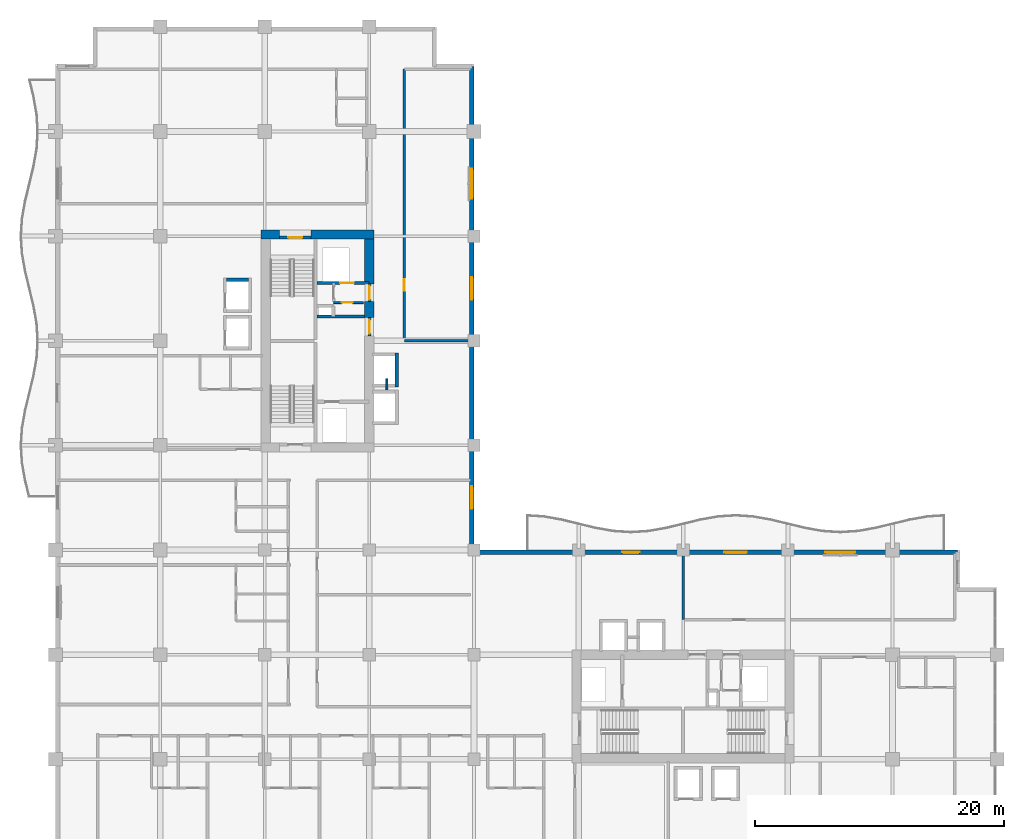
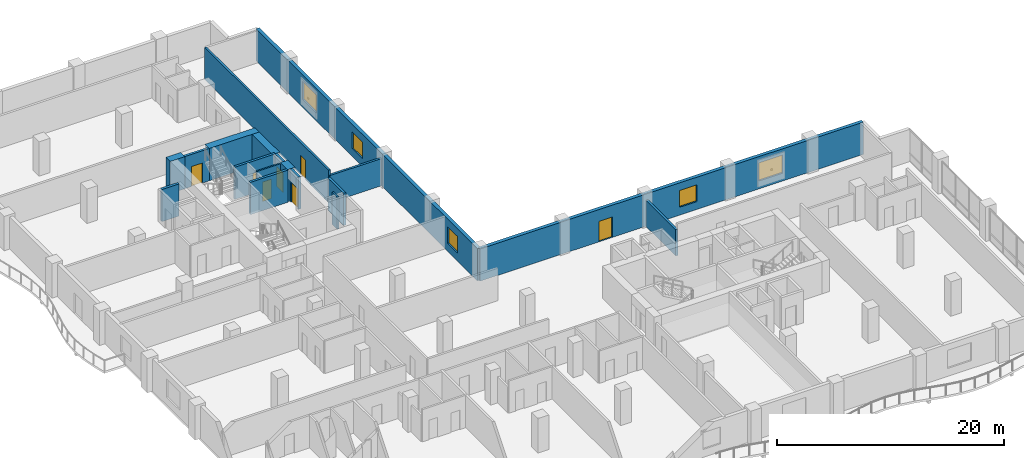
# One storey, part 13 of 22: 18 walls, 7 doors, 5 windows, 12 openings.
"""IFC4 building model written with IfcOpenShell, lengths in metres."""

from ifc_helpers import new_model, si_unit, direction, frame, frame_2d, origin, place, context, subcontext, project, spatial, rectangle, extrude, material, layer, layer_set, type_object, element, fill, save


model = new_model("IFC4")

# Units and contexts
model_context = context("Model", 3, precision=1e-05, world=origin(), true_north=direction((0.0, 1.0)))
body_context = subcontext(model_context, "Body", "Model", "MODEL_VIEW")
ifc_project = project(units=[si_unit("LENGTHUNIT", "METRE"), si_unit("AREAUNIT", "SQUARE_METRE"), si_unit("VOLUMEUNIT", "CUBIC_METRE"), si_unit("PLANEANGLEUNIT", "RADIAN"), si_unit("MASSUNIT", "GRAM", prefix="KILO")], contexts=[model_context])

# Site, building, storey
site_placement = place(None, origin())
site = spatial("IfcSite", under=ifc_project, at=site_placement, CompositionType="ELEMENT")
building_placement = place(site_placement, origin())
building = spatial("IfcBuilding", under=site, at=building_placement, Name="Koriwani Terraces Tower", CompositionType="ELEMENT")
storey_placement = place(building_placement, frame((0.0, 0.0, 168.0)))
storey = spatial("IfcBuildingStorey", under=building, at=storey_placement, Name="L40", CompositionType="ELEMENT", Elevation=168.0)

# Walls
ifc_material_1 = material(Name="Concrete C60/75", Category="concrete")
ifc_layer_1 = layer(ifc_material_1, 0.75, Name="Concrete C60/75")
ifc_layer_set_1 = layer_set([ifc_layer_1], Name="Concrete C60/75")
wall_type_1 = type_object("IfcWallType", Name="WALL_CORE_RC_750", PredefinedType="SHEAR", material=ifc_layer_set_1)
wall_1_placement = place(storey_placement, frame((16.5, 58.925048828125, 0.0), z_axis=(0.0, 0.0, 1.0), x_axis=(1.0, 0.0, 0.0)))
element("IfcWall", 1, at=wall_1_placement, inside=storey, type_object=wall_type_1, Name="L40 West Split Core Shear Wall N1", PredefinedType="SHEAR", context=body_context, shape_type="SweptSolid", body=[
    extrude(rectangle(XDim=1.5, YDim=0.75, at=frame_2d((0.75, 0.0))), origin(), (0.0, 0.0, 1.0), 3.469970703125),
])
wall_2_placement = place(storey_placement, frame((20.5, 58.925048828125, 0.0), z_axis=(0.0, 0.0, 1.0), x_axis=(1.0, 0.0, 0.0)))
element("IfcWall", 2, at=wall_2_placement, inside=storey, type_object=wall_type_1, Name="L40 West Split Core Shear Wall N2", PredefinedType="SHEAR", context=body_context, shape_type="SweptSolid", body=[
    extrude(rectangle(XDim=5.074951171875, YDim=0.75, at=frame_2d((2.53759765625, 0.0))), origin(), (0.0, 0.0, 1.0), 3.469970703125),
])
wall_3_placement = place(storey_placement, frame((25.199951171875, 52.280029296875, 0.0), z_axis=(0.0, 0.0, 1.0), x_axis=(0.0, 1.0, 0.0)))
element("IfcWall", 3, at=wall_3_placement, inside=storey, type_object=wall_type_1, Name="L40 West Split Core Shear Wall E2", PredefinedType="SHEAR", context=body_context, shape_type="SweptSolid", body=[
    extrude(rectangle(XDim=1.27001953125, YDim=0.75, at=frame_2d((0.635009765625, 0.0))), origin(), (0.0, 0.0, 1.0), 3.469970703125),
])
wall_4_placement = place(storey_placement, frame((25.199951171875, 54.949951171875, 0.0), z_axis=(0.0, 0.0, 1.0), x_axis=(0.0, 1.0, 0.0)))
element("IfcWall", 4, at=wall_4_placement, inside=storey, type_object=wall_type_1, Name="L40 West Split Core Shear Wall E3", PredefinedType="SHEAR", context=body_context, shape_type="SweptSolid", body=[
    extrude(rectangle(XDim=3.60009765625, YDim=0.75, at=frame_2d((1.800048828125, 0.0))), origin(), (0.0, 0.0, 1.0), 3.469970703125),
])

# Wall, opening, door
ifc_material_2 = material(Name="Autoclaved Cellular Concrete Blockwork", Category="masonry")
ifc_layer_2 = layer(ifc_material_2, 0.199951171875, Name="Autoclaved Cellular Concrete Blockwork")
ifc_layer_set_2 = layer_set([ifc_layer_2], Name="Autoclaved Cellular Concrete Blockwork")
wall_type_2 = type_object("IfcWallType", Name="WALL_CORRIDOR_200", PredefinedType="PARTITIONING", material=ifc_layer_set_2)
wall_5_placement = place(storey_placement, frame((28.0, 50.39990234375, 0.0), z_axis=(0.0, 0.0, 1.0), x_axis=(0.0, 1.0, 0.0)))
wall_5 = element("IfcWall", 5, at=wall_5_placement, inside=storey, type_object=wall_type_2, Name="L40 Interior Wall WNEC-W-L40", PredefinedType="PARTITIONING", context=body_context, shape_type="SweptSolid", body=[
    extrude(rectangle(XDim=21.800048828125, YDim=0.199951171875, at=frame_2d((10.89990234375, 0.0))), origin(), (0.0, 0.0, 1.0), 3.469970703125),
])
opening_1_placement = place(wall_5_placement, frame((4.0, 0.0, 0.0)))
opening_1 = element("IfcOpeningElement", 6, at=opening_1_placement, cuts=wall_5, Name="Opening D-06", PredefinedType="OPENING", context=body_context, shape_type="SweptSolid", body=[
    extrude(rectangle(XDim=0.919921875, YDim=2.10009765625, at=frame_2d((0.4599609375, 1.050048828125))), frame((0.0, 0.10986328125, 0.0), z_axis=(0.0, -1.0, 0.0), x_axis=(1.0, 0.0, 0.0)), (0.0, 0.0, 1.0), 0.219970703125),
])
ifc_material_3 = material(Name="Architectural Oak Fire Door", Category="wood")
door_type_1 = type_object("IfcDoorType", Name="DOOR_ROOM_INT_920X2100", OperationType="NOTDEFINED", PredefinedType="DOOR", material=ifc_material_3)
door_1_placement = place(opening_1_placement, origin())
door_1 = element("IfcDoor", 7, at=door_1_placement, inside=storey, type_object=door_type_1, Name="L40 North Court Study Door", OperationType="SINGLE_SWING_LEFT", OverallHeight=2.10009765625, OverallWidth=0.919921875, PredefinedType="DOOR", context=body_context, shape_type="SweptSolid", body=[
    extrude(rectangle(XDim=0.919921875, YDim=2.10009765625, at=frame_2d((0.4599609375, 1.050048828125))), frame((0.0, 0.02490234375, 0.0), z_axis=(0.0, -1.0, 0.0), x_axis=(1.0, 0.0, 0.0)), (0.0, 0.0, 1.0), 0.050048828125),
])
fill(opening_1, door_1)

# Walls
ifc_layer_3 = layer(ifc_material_2, 0.219970703125, Name="Autoclaved Cellular Concrete Blockwork")
ifc_layer_set_3 = layer_set([ifc_layer_3], Name="Autoclaved Cellular Concrete Blockwork")
wall_type_3 = type_object("IfcWallType", Name="WALL_DEMISING_220", PredefinedType="PARTITIONING", material=ifc_layer_set_3)
wall_6_placement = place(storey_placement, frame((28.0, 50.39990234375, 0.0), z_axis=(0.0, 0.0, 1.0), x_axis=(1.0, 0.0, 0.0)))
element("IfcWall", 8, at=wall_6_placement, inside=storey, type_object=wall_type_3, Name="L40 Interior Wall WNEC-S-L40", PredefinedType="PARTITIONING", context=body_context, shape_type="SweptSolid", body=[
    extrude(rectangle(XDim=5.300048828125, YDim=0.219970703125, at=frame_2d((2.64990234375, 0.0))), origin(), (0.0, 0.0, 1.0), 2.930908203125),
])
wall_7_placement = place(storey_placement, frame((50.39990234375, 28.0, 0.0), z_axis=(0.0, 0.0, 1.0), x_axis=(0.0, 1.0, 0.0)))
element("IfcWall", 9, at=wall_7_placement, inside=storey, type_object=wall_type_3, Name="L40 Interior Wall WSEC-W-L40", PredefinedType="PARTITIONING", context=body_context, shape_type="SweptSolid", body=[
    extrude(rectangle(XDim=5.300048828125, YDim=0.219970703125, at=frame_2d((2.64990234375, 0.0))), origin(), (0.0, 0.0, 1.0), 2.820068359375),
])

# Wall, openings, windows
ifc_material_4 = material(Name="Concrete C50/60", Category="concrete")
ifc_layer_4 = layer(ifc_material_4, 0.35009765625, Name="Concrete C50/60")
ifc_layer_set_4 = layer_set([ifc_layer_4], Name="Concrete C50/60")
wall_type_4 = type_object("IfcWallType", Name="WALL_EXT_BRUTALIST_350", PredefinedType="STANDARD", material=ifc_layer_set_4)
wall_8_placement = place(storey_placement, frame((33.425048828125, 72.425048828125, 0.0), z_axis=(0.0, 0.0, 1.0), x_axis=(0.0, -1.0, 0.0)))
wall_8 = element("IfcWall", 10, at=wall_8_placement, inside=storey, type_object=wall_type_4, Name="L40 Fair-Faced Brutalist Exterior Wall (NW_IN)", PredefinedType="STANDARD", context=body_context, shape_type="SweptSolid", body=[
    extrude(rectangle(XDim=39.0, YDim=0.35009765625, at=frame_2d((19.5, 0.0))), origin(), (0.0, 0.0, 1.0), 3.469970703125),
])
opening_2_placement = place(wall_8_placement, frame((33.72509765625, 0.0, 0.85009765625)))
opening_2 = element("IfcOpeningElement", 11, at=opening_2_placement, cuts=wall_8, Name="Opening W-04", PredefinedType="OPENING", context=body_context, shape_type="SweptSolid", body=[
    extrude(rectangle(XDim=1.800048828125, YDim=1.800048828125, at=frame_2d((0.89990234375, 0.89990234375))), frame((0.0, 0.18505859375, 0.0), z_axis=(0.0, -1.0, 0.0), x_axis=(1.0, 0.0, 0.0)), (0.0, 0.0, 1.0), 0.3701171875),
])
opening_3_placement = place(wall_8_placement, frame((16.925048828125, 0.0, 0.85009765625)))
opening_3 = element("IfcOpeningElement", 12, at=opening_3_placement, cuts=wall_8, Name="Opening W-04", PredefinedType="OPENING", context=body_context, shape_type="SweptSolid", body=[
    extrude(rectangle(XDim=1.800048828125, YDim=1.800048828125, at=frame_2d((0.89990234375, 0.89990234375))), frame((0.0, 0.18505859375, 0.0), z_axis=(0.0, -1.0, 0.0), x_axis=(1.0, 0.0, 0.0)), (0.0, 0.0, 1.0), 0.3701171875),
])
opening_4_placement = place(wall_8_placement, frame((8.22509765625, 0.0, 0.85009765625)))
opening_4 = element("IfcOpeningElement", 13, at=opening_4_placement, cuts=wall_8, Name="Opening W-03", PredefinedType="OPENING", context=body_context, shape_type="SweptSolid", body=[
    extrude(rectangle(XDim=2.39990234375, YDim=1.949951171875, at=frame_2d((1.199951171875, 0.97509765625))), frame((0.0, 0.18505859375, 0.0), z_axis=(0.0, -1.0, 0.0), x_axis=(1.0, 0.0, 0.0)), (0.0, 0.0, 1.0), 0.3701171875),
])
ifc_material_5 = material(Name="Tempered Laminated Low-E Glass", Category="glass")
window_type_1 = type_object("IfcWindowType", Name="WIN_RES_BED_1800X1800", PartitioningType="DOUBLE_PANEL_VERTICAL", PredefinedType="WINDOW", material=ifc_material_5)
window_1_placement = place(opening_2_placement, origin())
window_1 = element("IfcWindow", 14, at=window_1_placement, inside=storey, type_object=window_type_1, Name="L40 Exterior Window (NW_IN-2)", OverallHeight=1.800048828125, OverallWidth=1.800048828125, PartitioningType="SINGLE_PANEL", PredefinedType="WINDOW", context=body_context, shape_type="SweptSolid", body=[
    extrude(rectangle(XDim=1.800048828125, YDim=1.800048828125, at=frame_2d((0.89990234375, 0.89990234375))), frame((0.0, 0.030029296875, 0.0), z_axis=(0.0, -1.0, 0.0), x_axis=(1.0, 0.0, 0.0)), (0.0, 0.0, 1.0), 0.06005859375),
])
fill(opening_2, window_1)
window_2_placement = place(opening_3_placement, origin())
window_2 = element("IfcWindow", 15, at=window_2_placement, inside=storey, type_object=window_type_1, Name="L40 Exterior Window (NW_IN-8)", OverallHeight=1.800048828125, OverallWidth=1.800048828125, PartitioningType="SINGLE_PANEL", PredefinedType="WINDOW", context=body_context, shape_type="SweptSolid", body=[
    extrude(rectangle(XDim=1.800048828125, YDim=1.800048828125, at=frame_2d((0.89990234375, 0.89990234375))), frame((0.0, 0.030029296875, 0.0), z_axis=(0.0, -1.0, 0.0), x_axis=(1.0, 0.0, 0.0)), (0.0, 0.0, 1.0), 0.06005859375),
])
fill(opening_3, window_2)
window_type_2 = type_object("IfcWindowType", Name="WIN_RES_LIVING_2400X1950", PartitioningType="DOUBLE_PANEL_VERTICAL", PredefinedType="WINDOW", material=ifc_material_5)
window_3_placement = place(opening_4_placement, origin())
window_3 = element("IfcWindow", 16, at=window_3_placement, inside=storey, type_object=window_type_2, Name="L40 Exterior Window (NW_IN-11)", OverallHeight=1.949951171875, OverallWidth=2.39990234375, PartitioningType="SINGLE_PANEL", PredefinedType="WINDOW", context=body_context, shape_type="SweptSolid", body=[
    extrude(rectangle(XDim=2.39990234375, YDim=1.949951171875, at=frame_2d((1.199951171875, 0.97509765625))), frame((0.0, 0.030029296875, 0.0), z_axis=(0.0, -1.0, 0.0), x_axis=(1.0, 0.0, 0.0)), (0.0, 0.0, 1.0), 0.06005859375),
])
fill(opening_4, window_3)

# Wall, openings, door, windows
wall_9_placement = place(storey_placement, frame((33.425048828125, 33.425048828125, 0.0), z_axis=(0.0, 0.0, 1.0), x_axis=(1.0, 0.0, 0.0)))
wall_9 = element("IfcWall", 17, at=wall_9_placement, inside=storey, type_object=wall_type_4, Name="L40 Fair-Faced Brutalist Exterior Wall (NE)", PredefinedType="STANDARD", context=body_context, shape_type="SweptSolid", body=[
    extrude(rectangle(XDim=39.0, YDim=0.35009765625, at=frame_2d((19.5, 0.0))), origin(), (0.0, 0.0, 1.0), 3.469970703125),
])
opening_5_placement = place(wall_9_placement, frame((12.074951171875, 0.0, 0.0)))
opening_5 = element("IfcOpeningElement", 18, at=opening_5_placement, cuts=wall_9, Name="Opening D-09", PredefinedType="OPENING", context=body_context, shape_type="SweptSolid", body=[
    extrude(rectangle(XDim=1.39990234375, YDim=2.199951171875, at=frame_2d((0.699951171875, 1.10009765625))), frame((0.0, 0.18505859375, 0.0), z_axis=(0.0, -1.0, 0.0), x_axis=(1.0, 0.0, 0.0)), (0.0, 0.0, 1.0), 0.3701171875),
])
opening_6_placement = place(wall_9_placement, frame((20.27490234375, 0.0, 0.85009765625)))
opening_6 = element("IfcOpeningElement", 19, at=opening_6_placement, cuts=wall_9, Name="Opening W-04", PredefinedType="OPENING", context=body_context, shape_type="SweptSolid", body=[
    extrude(rectangle(XDim=1.800048828125, YDim=1.800048828125, at=frame_2d((0.89990234375, 0.89990234375))), frame((0.0, 0.18505859375, 0.0), z_axis=(0.0, -1.0, 0.0), x_axis=(1.0, 0.0, 0.0)), (0.0, 0.0, 1.0), 0.3701171875),
])
opening_7_placement = place(wall_9_placement, frame((28.375, 0.0, 0.85009765625)))
opening_7 = element("IfcOpeningElement", 20, at=opening_7_placement, cuts=wall_9, Name="Opening W-03", PredefinedType="OPENING", context=body_context, shape_type="SweptSolid", body=[
    extrude(rectangle(XDim=2.39990234375, YDim=1.949951171875, at=frame_2d((1.199951171875, 0.97509765625))), frame((0.0, 0.18505859375, 0.0), z_axis=(0.0, -1.0, 0.0), x_axis=(1.0, 0.0, 0.0)), (0.0, 0.0, 1.0), 0.3701171875),
])
ifc_material_6 = material(Name="Anodised Bronze Aluminium", Category="aluminium")
door_type_2 = type_object("IfcDoorType", Name="DOOR_BALCONY_GLAZED_1400X2200", OperationType="NOTDEFINED", PredefinedType="DOOR", material=ifc_material_6)
door_2_placement = place(opening_5_placement, origin())
door_2 = element("IfcDoor", 21, at=door_2_placement, inside=storey, type_object=door_type_2, Name="L40 Inner Court Balcony Glazed Door", OperationType="SINGLE_SWING_LEFT", OverallHeight=2.199951171875, OverallWidth=1.39990234375, PredefinedType="DOOR", context=body_context, shape_type="SweptSolid", body=[
    extrude(rectangle(XDim=1.39990234375, YDim=2.199951171875, at=frame_2d((0.699951171875, 1.10009765625))), frame((0.0, 0.02490234375, 0.0), z_axis=(0.0, -1.0, 0.0), x_axis=(1.0, 0.0, 0.0)), (0.0, 0.0, 1.0), 0.050048828125),
])
fill(opening_5, door_2)
window_4_placement = place(opening_6_placement, origin())
window_4 = element("IfcWindow", 22, at=window_4_placement, inside=storey, type_object=window_type_1, Name="L40 Exterior Window (NE-8)", OverallHeight=1.800048828125, OverallWidth=1.800048828125, PartitioningType="SINGLE_PANEL", PredefinedType="WINDOW", context=body_context, shape_type="SweptSolid", body=[
    extrude(rectangle(XDim=1.800048828125, YDim=1.800048828125, at=frame_2d((0.89990234375, 0.89990234375))), frame((0.0, 0.030029296875, 0.0), z_axis=(0.0, -1.0, 0.0), x_axis=(1.0, 0.0, 0.0)), (0.0, 0.0, 1.0), 0.06005859375),
])
fill(opening_6, window_4)
window_5_placement = place(opening_7_placement, origin())
window_5 = element("IfcWindow", 23, at=window_5_placement, inside=storey, type_object=window_type_2, Name="L40 Exterior Window (NE-11)", OverallHeight=1.949951171875, OverallWidth=2.39990234375, PartitioningType="SINGLE_PANEL", PredefinedType="WINDOW", context=body_context, shape_type="SweptSolid", body=[
    extrude(rectangle(XDim=2.39990234375, YDim=1.949951171875, at=frame_2d((1.199951171875, 0.97509765625))), frame((0.0, 0.030029296875, 0.0), z_axis=(0.0, -1.0, 0.0), x_axis=(1.0, 0.0, 0.0)), (0.0, 0.0, 1.0), 0.06005859375),
])
fill(opening_7, window_5)

# Wall, opening, door
ifc_material_7 = material(Name="Concrete C40/50", Category="concrete")
ifc_layer_5 = layer(ifc_material_7, 0.25, Name="Concrete C40/50")
ifc_layer_set_5 = layer_set([ifc_layer_5], Name="Concrete C40/50")
wall_type_5 = type_object("IfcWallType", Name="WALL_SHAFT_RATED_250", PredefinedType="SOLIDWALL", material=ifc_layer_set_5)
wall_10_placement = place(storey_placement, frame((18.0, 58.675048828125, 0.0), z_axis=(0.0, 0.0, 1.0), x_axis=(1.0, 0.0, 0.0)))
wall_10 = element("IfcWall", 24, at=wall_10_placement, inside=storey, type_object=wall_type_5, Name="L40 Interior Wall WIN-CW-L40-STN", PredefinedType="SOLIDWALL", context=body_context, shape_type="SweptSolid", body=[
    extrude(rectangle(XDim=2.5, YDim=0.25, at=frame_2d((1.25, 0.0))), origin(), (0.0, 0.0, 1.0), 3.469970703125),
])
opening_8_placement = place(wall_10_placement, frame((0.699951171875, 0.0, 0.0)))
opening_8 = element("IfcOpeningElement", 25, at=opening_8_placement, cuts=wall_10, Name="Opening D-03", PredefinedType="OPENING", context=body_context, shape_type="SweptSolid", body=[
    extrude(rectangle(XDim=1.10009765625, YDim=2.14990234375, at=frame_2d((0.550048828125, 1.074951171875))), frame((0.0, 0.135009765625, 0.0), z_axis=(0.0, -1.0, 0.0), x_axis=(1.0, 0.0, 0.0)), (0.0, 0.0, 1.0), 0.27001953125),
])
ifc_material_8 = material(Name="Steel ASTM A572 Grade 50", Category="steel")
door_type_3 = type_object("IfcDoorType", Name="DOOR_STAIR_FIRE_1100X2150", OperationType="NOTDEFINED", PredefinedType="DOOR", material=ifc_material_8)
door_3_placement = place(opening_8_placement, origin())
door_3 = element("IfcDoor", 26, at=door_3_placement, inside=storey, type_object=door_type_3, Name="L40 Exit Stair ST-W2 Door", OperationType="SINGLE_SWING_LEFT", OverallHeight=2.14990234375, OverallWidth=1.10009765625, PredefinedType="DOOR", context=body_context, shape_type="SweptSolid", body=[
    extrude(rectangle(XDim=1.10009765625, YDim=2.14990234375, at=frame_2d((0.550048828125, 1.074951171875))), frame((0.0, 0.02490234375, 0.0), z_axis=(0.0, -1.0, 0.0), x_axis=(1.0, 0.0, 0.0)), (0.0, 0.0, 1.0), 0.050048828125),
])
fill(opening_8, door_3)

wall_11_placement = place(storey_placement, frame((25.199951171875, 50.800048828125, 0.0), z_axis=(0.0, 0.0, 1.0), x_axis=(0.0, 1.0, 0.0)))
wall_11 = element("IfcWall", 27, at=wall_11_placement, inside=storey, type_object=wall_type_5, Name="L40 Interior Wall WIN-CW-L40-EP", PredefinedType="SOLIDWALL", context=body_context, shape_type="SweptSolid", body=[
    extrude(rectangle(XDim=1.47998046875, YDim=0.25, at=frame_2d((0.739990234375, 0.0))), origin(), (0.0, 0.0, 1.0), 3.469970703125),
])
opening_9_placement = place(wall_11_placement, frame((0.179931640625, 0.0, 0.0)))
opening_9 = element("IfcOpeningElement", 28, at=opening_9_placement, cuts=wall_11, Name="Opening D-03", PredefinedType="OPENING", context=body_context, shape_type="SweptSolid", body=[
    extrude(rectangle(XDim=1.10009765625, YDim=2.14990234375, at=frame_2d((0.550048828125, 1.074951171875))), frame((0.0, 0.135009765625, 0.0), z_axis=(0.0, -1.0, 0.0), x_axis=(1.0, 0.0, 0.0)), (0.0, 0.0, 1.0), 0.27001953125),
])
door_4_placement = place(opening_9_placement, origin())
door_4 = element("IfcDoor", 29, at=door_4_placement, inside=storey, type_object=door_type_3, Name="L40 West Firefighting Lobby Door", OperationType="SINGLE_SWING_RIGHT", OverallHeight=2.14990234375, OverallWidth=1.10009765625, PredefinedType="DOOR", context=body_context, shape_type="SweptSolid", body=[
    extrude(rectangle(XDim=1.10009765625, YDim=2.14990234375, at=frame_2d((0.550048828125, 1.074951171875))), frame((0.0, 0.02490234375, 0.0), z_axis=(0.0, -1.0, 0.0), x_axis=(1.0, 0.0, 0.0)), (0.0, 0.0, 1.0), 0.050048828125),
])
fill(opening_9, door_4)

# Wall
wall_12_placement = place(storey_placement, frame((21.0, 52.340087890625, 0.0), z_axis=(0.0, 0.0, 1.0), x_axis=(1.0, 0.0, 0.0)))
element("IfcWall", 30, at=wall_12_placement, inside=storey, type_object=wall_type_5, Name="L40 Interior Wall WIN-CW-L40-FFN", PredefinedType="SOLIDWALL", context=body_context, shape_type="SweptSolid", body=[
    extrude(rectangle(XDim=3.824951171875, YDim=0.25, at=frame_2d((1.91259765625, 0.0))), origin(), (0.0, 0.0, 1.0), 3.469970703125),
])

# Wall, opening, door
wall_13_placement = place(storey_placement, frame((21.0, 55.050048828125, 0.0), z_axis=(0.0, 0.0, 1.0), x_axis=(1.0, 0.0, 0.0)))
wall_13 = element("IfcWall", 31, at=wall_13_placement, inside=storey, type_object=wall_type_5, Name="L40 Interior Wall WIN-CW-L40-SE", PredefinedType="SOLIDWALL", context=body_context, shape_type="SweptSolid", body=[
    extrude(rectangle(XDim=4.14990234375, YDim=0.25, at=frame_2d((2.074951171875, 0.0))), origin(), (0.0, 0.0, 1.0), 3.469970703125),
])
opening_10_placement = place(wall_13_placement, frame((1.85009765625, 0.0, 0.0)))
opening_10 = element("IfcOpeningElement", 32, at=opening_10_placement, cuts=wall_13, Name="Opening LD-01", PredefinedType="OPENING", context=body_context, shape_type="SweptSolid", body=[
    extrude(rectangle(XDim=1.10009765625, YDim=2.14990234375, at=frame_2d((0.550048828125, 1.074951171875))), frame((0.0, 0.135009765625, 0.0), z_axis=(0.0, -1.0, 0.0), x_axis=(1.0, 0.0, 0.0)), (0.0, 0.0, 1.0), 0.27001953125),
])
door_type_4 = type_object("IfcDoorType", Name="DOOR_LIFT_LANDING_1100X2200", OperationType="NOTDEFINED", PredefinedType="DOOR", material=ifc_material_8)
door_5_placement = place(opening_10_placement, origin())
door_5 = element("IfcDoor", 33, at=door_5_placement, inside=storey, type_object=door_type_4, Name="L40 Goods Lift SE-01 Landing Door", OperationType="SLIDING_TO_LEFT", OverallHeight=2.14990234375, OverallWidth=1.10009765625, PredefinedType="DOOR", context=body_context, shape_type="SweptSolid", body=[
    extrude(rectangle(XDim=1.10009765625, YDim=2.14990234375, at=frame_2d((0.550048828125, 1.074951171875))), frame((0.0, 0.02490234375, 0.0), z_axis=(0.0, -1.0, 0.0), x_axis=(1.0, 0.0, 0.0)), (0.0, 0.0, 1.0), 0.050048828125),
])
fill(opening_10, door_5)

wall_14_placement = place(storey_placement, frame((25.199951171875, 53.550048828125, 0.0), z_axis=(0.0, 0.0, 1.0), x_axis=(0.0, 1.0, 0.0)))
wall_14 = element("IfcWall", 34, at=wall_14_placement, inside=storey, type_object=wall_type_5, Name="L40 Interior Wall WIN-CW-L40-EP2", PredefinedType="SOLIDWALL", context=body_context, shape_type="SweptSolid", body=[
    extrude(rectangle(XDim=1.39990234375, YDim=0.25, at=frame_2d((0.699951171875, 0.0))), origin(), (0.0, 0.0, 1.0), 3.469970703125),
])
opening_11_placement = place(wall_14_placement, frame((0.14990234375, 0.0, 0.0)))
opening_11 = element("IfcOpeningElement", 35, at=opening_11_placement, cuts=wall_14, Name="Opening D-03", PredefinedType="OPENING", context=body_context, shape_type="SweptSolid", body=[
    extrude(rectangle(XDim=1.10009765625, YDim=2.14990234375, at=frame_2d((0.550048828125, 1.074951171875))), frame((0.0, 0.135009765625, 0.0), z_axis=(0.0, -1.0, 0.0), x_axis=(1.0, 0.0, 0.0)), (0.0, 0.0, 1.0), 0.27001953125),
])
door_6_placement = place(opening_11_placement, origin())
door_6 = element("IfcDoor", 36, at=door_6_placement, inside=storey, type_object=door_type_3, Name="L40 West Goods Lift Lobby Door", OperationType="SINGLE_SWING_LEFT", OverallHeight=2.14990234375, OverallWidth=1.10009765625, PredefinedType="DOOR", context=body_context, shape_type="SweptSolid", body=[
    extrude(rectangle(XDim=1.10009765625, YDim=2.14990234375, at=frame_2d((0.550048828125, 1.074951171875))), frame((0.0, 0.02490234375, 0.0), z_axis=(0.0, -1.0, 0.0), x_axis=(1.0, 0.0, 0.0)), (0.0, 0.0, 1.0), 0.050048828125),
])
fill(opening_11, door_6)

# Walls
wall_15_placement = place(storey_placement, frame((13.72509765625, 55.300048828125, 0.0), z_axis=(0.0, 0.0, 1.0), x_axis=(1.0, 0.0, 0.0)))
element("IfcWall", 37, at=wall_15_placement, inside=storey, type_object=wall_type_5, Name="L40 Interior Wall WIN-LF-PE-M2-L40-N", PredefinedType="SOLIDWALL", context=body_context, shape_type="SweptSolid", body=[
    extrude(rectangle(XDim=1.75, YDim=0.25, at=frame_2d((0.875, 0.0))), origin(), (0.0, 0.0, 1.0), 3.469970703125),
])
wall_16_placement = place(storey_placement, frame((27.39990234375, 46.675048828125, 0.0), z_axis=(0.0, 0.0, 1.0), x_axis=(0.0, 1.0, 0.0)))
element("IfcWall", 38, at=wall_16_placement, inside=storey, type_object=wall_type_5, Name="L40 Interior Wall WIN-LF-PE-H2-L40-F", PredefinedType="SOLIDWALL", context=body_context, shape_type="SweptSolid", body=[
    extrude(rectangle(XDim=2.75, YDim=0.25, at=frame_2d((1.375, 0.0))), origin(), (0.0, 0.0, 1.0), 3.469970703125),
])

# Wall, opening, door
ifc_material_9 = material(Name="Fire-Rated Acoustic Gypsum Partition", Category="masonry")
ifc_layer_6 = layer(ifc_material_9, 0.159912109375, Name="Fire-Rated Acoustic Gypsum Partition")
ifc_layer_set_6 = layer_set([ifc_layer_6], Name="Fire-Rated Acoustic Gypsum Partition")
wall_type_6 = type_object("IfcWallType", Name="WALL_SUITE_160", PredefinedType="PARTITIONING", material=ifc_layer_set_6)
wall_17_placement = place(storey_placement, frame((22.320068359375, 53.4599609375, 0.0), z_axis=(0.0, 0.0, 1.0), x_axis=(1.0, 0.0, 0.0)))
wall_17 = element("IfcWall", 39, at=wall_17_placement, inside=storey, type_object=wall_type_6, Name="L40 Interior Wall WIN-CW-L40-SV1B", PredefinedType="PARTITIONING", context=body_context, shape_type="SweptSolid", body=[
    extrude(rectangle(XDim=2.39990234375, YDim=0.159912109375, at=frame_2d((1.199951171875, 0.0))), origin(), (0.0, 0.0, 1.0), 3.469970703125),
])
opening_12_placement = place(wall_17_placement, frame((0.64990234375, 0.0, 0.0)))
opening_12 = element("IfcOpeningElement", 40, at=opening_12_placement, cuts=wall_17, Name="Opening D-07", PredefinedType="OPENING", context=body_context, shape_type="SweptSolid", body=[
    extrude(rectangle(XDim=0.89990234375, YDim=2.10009765625, at=frame_2d((0.449951171875, 1.050048828125))), frame((0.0, 0.08984375, 0.0), z_axis=(0.0, -1.0, 0.0), x_axis=(1.0, 0.0, 0.0)), (0.0, 0.0, 1.0), 0.179931640625),
])
door_type_5 = type_object("IfcDoorType", Name="DOOR_BATH_INT_900X2100", OperationType="NOTDEFINED", PredefinedType="DOOR", material=ifc_material_3)
door_7_placement = place(opening_12_placement, origin())
door_7 = element("IfcDoor", 41, at=door_7_placement, inside=storey, type_object=door_type_5, Name="L40 West Cleaners Closet Door", OperationType="SINGLE_SWING_LEFT", OverallHeight=2.10009765625, OverallWidth=0.89990234375, PredefinedType="DOOR", context=body_context, shape_type="SweptSolid", body=[
    extrude(rectangle(XDim=0.89990234375, YDim=2.10009765625, at=frame_2d((0.449951171875, 1.050048828125))), frame((0.0, 0.02490234375, 0.0), z_axis=(0.0, -1.0, 0.0), x_axis=(1.0, 0.0, 0.0)), (0.0, 0.0, 1.0), 0.050048828125),
])
fill(opening_12, door_7)

# Wall
wall_18_placement = place(storey_placement, frame((26.60009765625, 46.4599609375, 0.0), z_axis=(0.0, 0.0, 1.0), x_axis=(0.0, 1.0, 0.0)))
element("IfcWall", 42, at=wall_18_placement, inside=storey, type_object=wall_type_6, Name="L40 Interior Wall WIN-LF-PEH12-MID-L40", PredefinedType="PARTITIONING", context=body_context, shape_type="SweptSolid", body=[
    extrude(rectangle(XDim=0.880126953125, YDim=0.159912109375, at=frame_2d((0.43994140625, 0.0))), origin(), (0.0, 0.0, 1.0), 3.469970703125),
])

save(model, "model.ifc")
